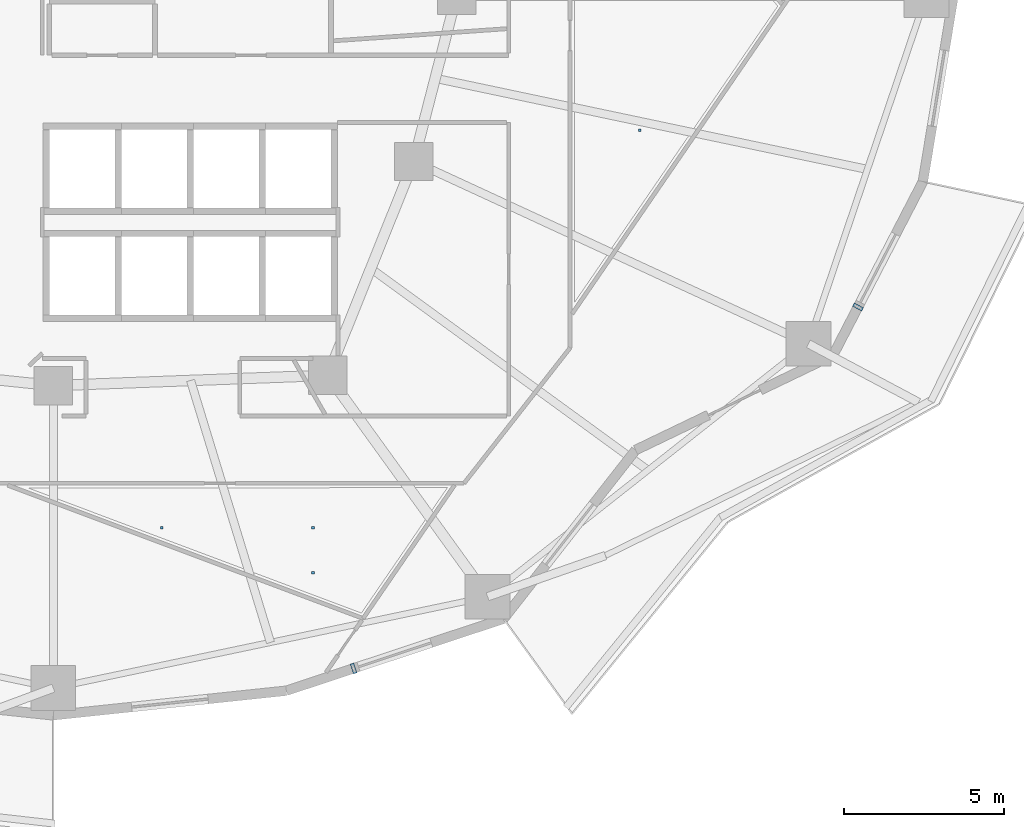
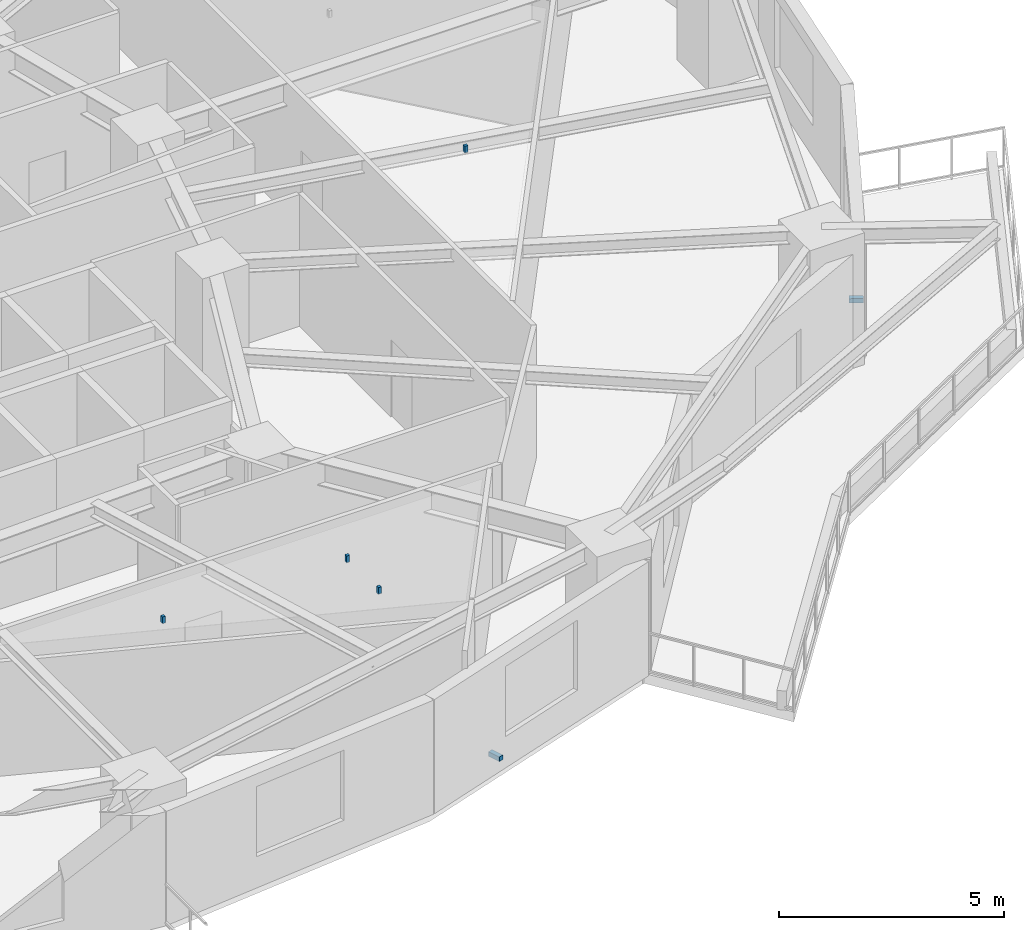
# One storey, part 12 of 19: 6 discrete accessories.
"""IFC4 building model written with IfcOpenShell, lengths in metres."""

from ifc_helpers import new_model, si_unit, direction, frame, origin, origin_2d, place, context, subcontext, project, spatial, rectangle, extrude, material, type_object, element, save


model = new_model("IFC4")

# Units and contexts
model_context = context("Model", 3, precision=1e-05, world=origin(), true_north=direction((0.0, 1.0)))
body_context = subcontext(model_context, "Body", "Model", "MODEL_VIEW")
ifc_project = project(units=[si_unit("LENGTHUNIT", "METRE"), si_unit("AREAUNIT", "SQUARE_METRE"), si_unit("VOLUMEUNIT", "CUBIC_METRE"), si_unit("PLANEANGLEUNIT", "RADIAN"), si_unit("MASSUNIT", "GRAM", prefix="KILO")], contexts=[model_context])

# Site, building, storey
site_placement = place(None, origin())
site = spatial("IfcSite", under=ifc_project, at=site_placement, CompositionType="ELEMENT")
building_placement = place(site_placement, origin())
building = spatial("IfcBuilding", under=site, at=building_placement, Name="Kolvaren Gate Tower and Convention Centre", CompositionType="ELEMENT")
storey_placement = place(building_placement, frame((0.0, 0.0, 38.050048828125)))
storey = spatial("IfcBuildingStorey", under=building, at=storey_placement, Name="L08", CompositionType="ELEMENT", Elevation=38.050048828125)

# Discrete accessories
ifc_material_1 = material(Name="Anodized Architectural Aluminium Alloy 6063-T6", Category="aluminium")
discrete_accessory_type_1 = type_object("IfcDiscreteAccessoryType", Name="ARCH-ACC-BRACKET-120", PredefinedType="BRACKET", material=ifc_material_1)
for number, where, z_axis, x_axis, name in (
    (1, (39.5048828125, 5.962890625, 0.289794921875), (0.0, 0.0, 1.0), (0.949242826568, 0.314544203905, 0.0), "Ceramic Fin Wall Anchor Bracket FBK-L08-19"),
    (2, (55.26123046875, 17.255126953125, 0.289794921875), (0.0, 0.0, 1.0), (0.459789110083, 0.888028138208, 0.0), "Ceramic Fin Wall Anchor Bracket FBK-L08-22"),
):
    element("IfcDiscreteAccessory", number, at=place(storey_placement, frame(where, z_axis=z_axis, x_axis=x_axis)), inside=storey, type_object=discrete_accessory_type_1, Name=name, PredefinedType="BRACKET", context=body_context, shape_type="SweptSolid", body=[
        extrude(rectangle(XDim=0.1201171875, YDim=0.320068359375, at=origin_2d()), origin(), (0.0, 0.0, 1.0), 0.1201171875),
    ])
ifc_material_2 = material(Name="Brushed Stainless Steel Grade 316L", Category="steel")
discrete_accessory_type_2 = type_object("IfcDiscreteAccessoryType", Name="ARCH-ACC-HANGER-80", PredefinedType="BRACKET", material=ifc_material_2)
for number, where, z_axis, x_axis, name in (
    (3, (38.236083984375, 8.947998046875, 3.39013671875), (0.0, 0.0, 1.0), (1.0, 0.0, 0.0), "Catering Tea Pantry Ceiling Suspension Hanger Clip 1"),
    (4, (33.514892578125, 10.35693359375, 3.39013671875), (0.0, 0.0, 1.0), (1.0, 0.0, 0.0), "Catering Tea Pantry Ceiling Suspension Hanger Clip 2"),
    (5, (38.236083984375, 10.35693359375, 3.39013671875), (0.0, 0.0, 1.0), (1.0, 0.0, 0.0), "Catering Tea Pantry Ceiling Suspension Hanger Clip 3"),
    (6, (48.43994140625, 22.77587890625, 3.39013671875), (0.0, 0.0, 1.0), (1.0, 0.0, 0.0), "Strategy Huddle Meeting Room Ceiling Suspension Hanger Clip 1"),
):
    element("IfcDiscreteAccessory", number, at=place(storey_placement, frame(where, z_axis=z_axis, x_axis=x_axis)), inside=storey, type_object=discrete_accessory_type_2, Name=name, PredefinedType="BRACKET", context=body_context, shape_type="SweptSolid", body=[
        extrude(rectangle(XDim=0.080078125, YDim=0.080078125, at=origin_2d()), origin(), (0.0, 0.0, 1.0), 0.179931640625),
    ])

save(model, "model.ifc")
